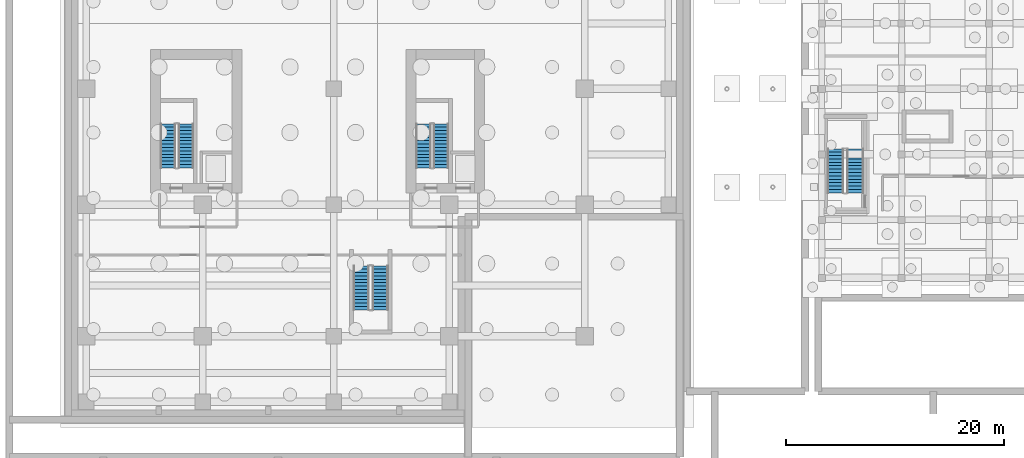
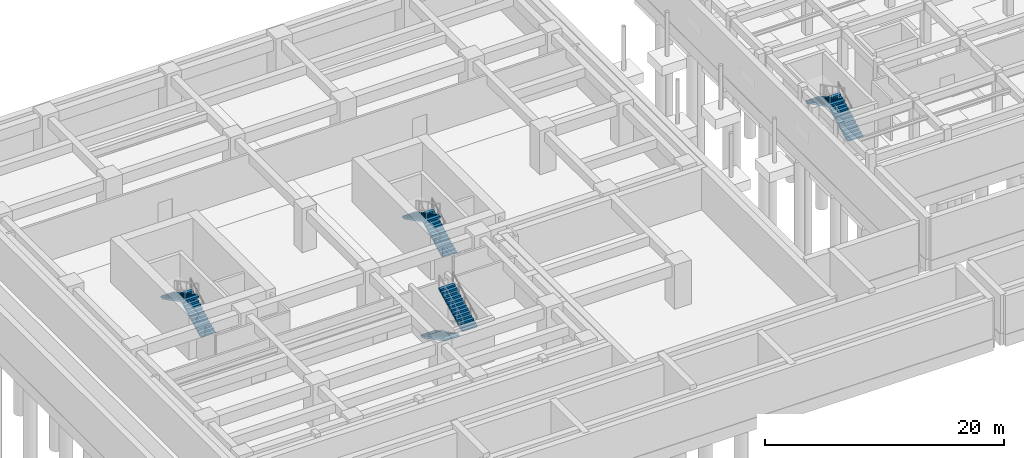
# One storey, part 11 of 14: 8 stair flights, 4 elements without a shape of their own.
"""IFC4 building model written with IfcOpenShell, lengths in metres."""

import ifcopenshell
import ifcopenshell.guid

model = None  # the IFC model being written
_history = None  # IfcOwnerHistory: only IFC2X3 demands one
_inside = {}  # id of a spatial element -> (the spatial element, [elements in it])
_under = {}  # id of a project, library or spatial element -> (it, [spatial elements below it])
_declared = {}  # id of a project -> (the project, [libraries it declares])
_typed = {}  # id of a type object -> (the type object, [elements of that type])
_made_of = {}  # id of a material, layer set ... -> (it, [elements and type objects made of it])


def new_model(schema):
    """Start an empty IFC model of exactly this schema.

    Asked for "IFC4X3", IfcOpenShell would pick the latest addendum, in which some entities
    have other attributes; the version numbers below select the first issue.
    IFC2X3 requires an IfcOwnerHistory on every rooted entity: one is made here for all.
    """
    global model, _history
    if schema == "IFC4X3":
        model = ifcopenshell.file(schema_version=(4, 3, 0, 0))
    else:
        model = ifcopenshell.file(schema=schema)
    _inside.clear()
    _under.clear()
    _declared.clear()
    _typed.clear()
    _made_of.clear()
    _history = None
    if model.schema == "IFC2X3":
        org = make("IfcOrganization", Name="unknown")
        user = make(
            "IfcPersonAndOrganization",
            ThePerson=make("IfcPerson", FamilyName="unknown"),
            TheOrganization=org,
        )
        app = make(
            "IfcApplication",
            ApplicationDeveloper=org,
            Version="unknown",
            ApplicationFullName="unknown",
            ApplicationIdentifier="unknown",
        )
        _history = make(
            "IfcOwnerHistory",
            OwningUser=user,
            OwningApplication=app,
            ChangeAction="ADDED",
            CreationDate=0,
        )
    return model


def make(cls, **values):
    """One entity of the class cls with the attributes given. An attribute that is None is left unset."""
    return model.create_entity(
        cls, **{name: value for name, value in values.items() if value is not None}
    )


def rooted(cls, **values):
    """An entity with a GlobalId (a new one), such as an element, a storey or a relation."""
    return make(cls, GlobalId=ifcopenshell.guid.new(), OwnerHistory=_history, **values)


def si_unit(unit_type, name, prefix=None):
    """IfcSIUnit, for example si_unit("LENGTHUNIT", "METRE", prefix="MILLI")."""
    return make("IfcSIUnit", UnitType=unit_type, Prefix=prefix, Name=name)


def assignment(units):
    """IfcUnitAssignment: the units of a project."""
    return None if units is None else make("IfcUnitAssignment", Units=units)


def point(xyz):
    """IfcCartesianPoint."""
    return None if xyz is None else make("IfcCartesianPoint", Coordinates=xyz)


def direction(xyz):
    """IfcDirection."""
    return None if xyz is None else make("IfcDirection", DirectionRatios=xyz)


def frame(location, z_axis=None, x_axis=None):
    """IfcAxis2Placement3D, a coordinate frame: its origin and axes. An axis left out is left unset."""
    return make(
        "IfcAxis2Placement3D",
        Location=point(location),
        Axis=direction(z_axis),
        RefDirection=direction(x_axis),
    )


def origin():
    """The frame at (0, 0, 0) with its axes left unset."""
    return frame((0.0, 0.0, 0.0))


def place(relative_to, where):
    """IfcLocalPlacement: puts the frame where relative to a parent placement (None: the world)."""
    return make(
        "IfcLocalPlacement", PlacementRelTo=relative_to, RelativePlacement=where
    )


def context(
    kind, dimensions, precision=None, world=None, true_north=None, identifier=None
):
    """IfcGeometricRepresentationContext, for example the 3D "Model" context."""
    return make(
        "IfcGeometricRepresentationContext",
        ContextIdentifier=identifier,
        ContextType=kind,
        CoordinateSpaceDimension=dimensions,
        Precision=precision,
        WorldCoordinateSystem=world,
        TrueNorth=true_north,
    )


def subcontext(parent, identifier, kind, view, scale=None):
    """IfcGeometricRepresentationSubContext, for example "Body" below "Model"."""
    return make(
        "IfcGeometricRepresentationSubContext",
        ContextIdentifier=identifier,
        ContextType=kind,
        ParentContext=parent,
        TargetScale=scale,
        TargetView=view,
    )


def project(units=None, contexts=None):
    """IfcProject with its units and contexts."""
    return rooted(
        "IfcProject",
        Name="project",
        RepresentationContexts=contexts,
        UnitsInContext=assignment(units),
    )


def spatial(cls, under=None, at=None, **own):
    """A site, building, storey or space (cls), placed at a placement, below another one or the project."""
    s = rooted(cls, ObjectPlacement=at, **own)
    if under is not None:
        _under.setdefault(under.id(), (under, []))[1].append(s)
    return s


def polyline(points):
    """IfcPolyline through the points."""
    return make("IfcPolyline", Points=[point(p) for p in points])


def outline(outer, holes=None, kind="AREA"):
    """IfcArbitraryClosedProfileDef: a profile drawn as a closed curve; with holes, ...WithVoids."""
    if holes is None:
        return make("IfcArbitraryClosedProfileDef", ProfileType=kind, OuterCurve=outer)
    return make(
        "IfcArbitraryProfileDefWithVoids",
        ProfileType=kind,
        OuterCurve=outer,
        InnerCurves=holes,
    )


def extrude(swept, where, along, depth):
    """IfcExtrudedAreaSolid: the profile swept, set in the frame where, extruded along a direction by depth."""
    return make(
        "IfcExtrudedAreaSolid",
        SweptArea=swept,
        Position=where,
        ExtrudedDirection=direction(along),
        Depth=depth,
    )


def shape(context_of_items, identifier, shape_type, items):
    """IfcShapeRepresentation: the items that make up one representation, for example the "Body"."""
    return make(
        "IfcShapeRepresentation",
        ContextOfItems=context_of_items,
        RepresentationIdentifier=identifier,
        RepresentationType=shape_type,
        Items=items,
    )


def source(mapping_origin, context_of_items, identifier, shape_type, items):
    """IfcRepresentationMap: a shape defined once, which mapped items show again and again."""
    return make(
        "IfcRepresentationMap",
        MappingOrigin=mapping_origin,
        MappedRepresentation=shape(context_of_items, identifier, shape_type, items),
    )


def transform(
    local_origin,
    x_axis=None,
    y_axis=None,
    z_axis=None,
    scale=None,
    scale2=None,
    scale3=None,
    uniform=True,
):
    """IfcCartesianTransformationOperator3D, or its non-uniform kind. x_axis, y_axis, z_axis: its Axis1, 2, 3."""
    if uniform:
        return make(
            "IfcCartesianTransformationOperator3D",
            Axis1=direction(x_axis),
            Axis2=direction(y_axis),
            LocalOrigin=point(local_origin),
            Scale=scale,
            Axis3=direction(z_axis),
        )
    return make(
        "IfcCartesianTransformationOperator3DnonUniform",
        Axis1=direction(x_axis),
        Axis2=direction(y_axis),
        LocalOrigin=point(local_origin),
        Scale=scale,
        Axis3=direction(z_axis),
        Scale2=scale2,
        Scale3=scale3,
    )


def mapped(mapping_source, mapping_target):
    """IfcMappedItem: shows the shape of a source again, moved by a transform."""
    return make(
        "IfcMappedItem", MappingSource=mapping_source, MappingTarget=mapping_target
    )


def material(Name=None, Category=None):
    """IfcMaterial."""
    return make("IfcMaterial", Name=Name, Category=Category)


def made_of(thing, what):
    """Note that an element or type object is made of a material, layer set ...; save() writes the relation."""
    if what is not None:
        _made_of.setdefault(what.id(), (what, []))[1].append(thing)
    return thing


def type_object(cls, material=None, **own):
    """A type object (cls), such as IfcWallType, which elements share."""
    return made_of(rooted(cls, **own), material)


def element(
    cls,
    number,
    at=None,
    inside=None,
    cuts=None,
    type_object=None,
    material=None,
    context=None,
    identifier="Body",
    shape_type=None,
    held_by="IfcProductDefinitionShape",
    body=None,
    shapes=None,
    **own,
):
    """One element of the class cls, such as IfcWall. Its Tag is "e" and its number.

    at: its placement. inside: the storey or other place that contains it. cuts: it is an
    opening in that element (IfcRelVoidsElement). A single representation is given by context,
    identifier, shape_type and body (its items); several are given by shapes. held_by: the class
    of the entity that holds the representations. save() writes the other relations.
    """
    e = rooted(cls, Tag="e%d" % number, ObjectPlacement=at, **own)
    if body is not None:
        shapes = [shape(context, identifier, shape_type, body)]
    if shapes is not None:
        e.Representation = make(held_by, Representations=shapes)
    if inside is not None:
        _inside.setdefault(inside.id(), (inside, []))[1].append(e)
    if cuts is not None:
        rooted(
            "IfcRelVoidsElement", RelatingBuildingElement=cuts, RelatedOpeningElement=e
        )
    if type_object is not None:
        _typed.setdefault(type_object.id(), (type_object, []))[1].append(e)
    return made_of(e, material)


def aggregate(whole, parts):
    """IfcRelAggregates: a whole, such as a stair, and the parts it consists of."""
    return rooted("IfcRelAggregates", RelatingObject=whole, RelatedObjects=parts)


def save(model, path):
    """Write the relations noted so far, then the file.

    IfcRelAggregates (storeys below a building ...), IfcRelContainedInSpatialStructure (elements
    in a storey), IfcRelDefinesByType, IfcRelAssociatesMaterial and IfcRelDeclares: one each for
    every whole, place, type object, material and project.
    """
    for whole, parts in _under.values():
        aggregate(whole, parts)
    for where, things in _inside.values():
        rooted(
            "IfcRelContainedInSpatialStructure",
            RelatedElements=things,
            RelatingStructure=where,
        )
    for kind, things in _typed.values():
        rooted("IfcRelDefinesByType", RelatedObjects=things, RelatingType=kind)
    for what, things in _made_of.values():
        rooted("IfcRelAssociatesMaterial", RelatedObjects=things, RelatingMaterial=what)
    for by, libraries in _declared.values():
        rooted("IfcRelDeclares", RelatingContext=by, RelatedDefinitions=libraries)
    model.write(path)


model = new_model("IFC4")

# Units and contexts
model_context = context("Model", 3, precision=1e-05, world=origin(), true_north=direction((0.0, 1.0)))
body_context = subcontext(model_context, "Body", "Model", "MODEL_VIEW")
ifc_project = project(units=[si_unit("LENGTHUNIT", "METRE"), si_unit("AREAUNIT", "SQUARE_METRE"), si_unit("VOLUMEUNIT", "CUBIC_METRE"), si_unit("PLANEANGLEUNIT", "RADIAN"), si_unit("MASSUNIT", "GRAM", prefix="KILO")], contexts=[model_context])

# Site, building, storey
site_placement = place(None, origin())
site = spatial("IfcSite", under=ifc_project, at=site_placement, CompositionType="ELEMENT")
building_placement = place(site_placement, origin())
building = spatial("IfcBuilding", under=site, at=building_placement, Name="Khoralis Quay Care Tower", CompositionType="ELEMENT")
storey_placement = place(building_placement, frame((0.0, 0.0, -4.5)))
storey = spatial("IfcBuildingStorey", under=building, at=storey_placement, Name="B1", CompositionType="ELEMENT", Elevation=-4.5)

# Stair, stair flights
ifc_material = material(Name="Precast concrete C45/55", Category="concrete")
stair_type_1 = type_object("IfcStairType", Name="ST-TWR-DOGLEG-1400", PredefinedType="HALF_TURN_STAIR", material=ifc_material)
stair_1_placement = place(storey_placement, origin())
stair_1 = element("IfcStair", 1, at=stair_1_placement, inside=storey, type_object=stair_type_1, Name="B1 West Core Exit Stair ST-T1", PredefinedType="HALF_TURN_STAIR")
stair_flight_type_1 = type_object("IfcStairFlightType", Name="SF-TWR-1400", PredefinedType="STRAIGHT", material=ifc_material)
shared_shape_1 = source(origin(), body_context, "Body", "SweptSolid", [
    extrude(outline(polyline([(0.0, 0.0), (0.0, 0.16064453125), (0.31005859375, 0.16064453125), (0.31005859375, 0.321533203125), (0.6201171875, 0.321533203125), (0.6201171875, 0.482177734375), (0.929931640625, 0.482177734375), (0.929931640625, 0.642822265625), (1.239990234375, 0.642822265625), (1.239990234375, 0.803466796875), (1.550048828125, 0.803466796875), (1.550048828125, 0.96435546875), (1.860107421875, 0.96435546875), (1.860107421875, 1.125), (2.169921875, 1.125), (2.169921875, 1.28564453125), (2.47998046875, 1.28564453125), (2.47998046875, 1.446533203125), (2.7900390625, 1.446533203125), (2.7900390625, 1.607177734375), (3.10009765625, 1.607177734375), (3.10009765625, 1.767822265625), (3.409912109375, 1.767822265625), (3.409912109375, 1.928466796875), (3.719970703125, 1.928466796875), (3.719970703125, 2.08935546875), (4.030029296875, 2.08935546875), (4.030029296875, 2.25), (4.030029296875, 1.92041015625), (0.32568359375, 0.0), (0.0, 0.0)])), frame((0.0, 0.68994140625, 0.0), z_axis=(0.0, -1.0, 0.0), x_axis=(1.0, 0.0, 0.0)), (0.0, 0.0, 1.0), 1.3798828125),
])
stair_flight_1_placement = place(storey_placement, frame((10.4599609375, 16.77001953125, 0.0), z_axis=(0.0, 0.0, 1.0), x_axis=(0.0, 1.0, 0.0)))
stair_flight_1 = element("IfcStairFlight", 2, at=stair_flight_1_placement, type_object=stair_flight_type_1, Name="ST-T1 flight 1", NumberOfRisers=14, NumberOfTreads=13, PredefinedType="STRAIGHT", RiserHeight=0.160714286, TreadLength=0.31, context=body_context, shape_type="MappedRepresentation", body=[
    mapped(shared_shape_1, transform((0.0, 0.0, 0.0), scale=1.0)),
])
stair_flight_2_placement = place(storey_placement, frame((8.840087890625, 20.800048828125, 2.25), z_axis=(0.0, 0.0, 1.0), x_axis=(0.0, -1.0, 0.0)))
stair_flight_2 = element("IfcStairFlight", 3, at=stair_flight_2_placement, type_object=stair_flight_type_1, Name="ST-T1 flight 2", NumberOfRisers=14, NumberOfTreads=13, PredefinedType="STRAIGHT", RiserHeight=0.160714286, TreadLength=0.31, context=body_context, shape_type="MappedRepresentation", body=[
    mapped(shared_shape_1, transform((0.0, 0.0, 0.0), scale=1.0)),
])
aggregate(stair_1, [stair_flight_1, stair_flight_2])

stair_2_placement = place(storey_placement, origin())
stair_2 = element("IfcStair", 4, at=stair_2_placement, inside=storey, type_object=stair_type_1, Name="B1 East Core Exit Stair ST-T2", PredefinedType="HALF_TURN_STAIR")
stair_flight_3_placement = place(storey_placement, frame((33.830078125, 16.77001953125, 0.0), z_axis=(0.0, 0.0, 1.0), x_axis=(0.0, 1.0, 0.0)))
stair_flight_3 = element("IfcStairFlight", 5, at=stair_flight_3_placement, type_object=stair_flight_type_1, Name="ST-T2 flight 1", NumberOfRisers=14, NumberOfTreads=13, PredefinedType="STRAIGHT", RiserHeight=0.160714286, TreadLength=0.31, context=body_context, shape_type="MappedRepresentation", body=[
    mapped(shared_shape_1, transform((0.0, 0.0, 0.0), scale=1.0)),
])
stair_flight_4_placement = place(storey_placement, frame((32.2099609375, 20.800048828125, 2.25), z_axis=(0.0, 0.0, 1.0), x_axis=(0.0, -1.0, 0.0)))
stair_flight_4 = element("IfcStairFlight", 6, at=stair_flight_4_placement, type_object=stair_flight_type_1, Name="ST-T2 flight 2", NumberOfRisers=14, NumberOfTreads=13, PredefinedType="STRAIGHT", RiserHeight=0.160714286, TreadLength=0.31, context=body_context, shape_type="MappedRepresentation", body=[
    mapped(shared_shape_1, transform((0.0, 0.0, 0.0), scale=1.0)),
])
aggregate(stair_2, [stair_flight_3, stair_flight_4])

stair_type_2 = type_object("IfcStairType", Name="ST-POD-DOGLEG-1500", PredefinedType="HALF_TURN_STAIR", material=ifc_material)
stair_3_placement = place(storey_placement, origin())
stair_3 = element("IfcStair", 7, at=stair_3_placement, inside=storey, type_object=stair_type_2, Name="B1 Podium Clinical Stair ST-P1", PredefinedType="HALF_TURN_STAIR")
stair_flight_type_2 = type_object("IfcStairFlightType", Name="SF-POD-1500", PredefinedType="STRAIGHT", material=ifc_material)
shared_shape_2 = source(origin(), body_context, "Body", "SweptSolid", [
    extrude(outline(polyline([(0.0, 0.0), (0.0, 0.16064453125), (0.31005859375, 0.16064453125), (0.31005859375, 0.321533203125), (0.6201171875, 0.321533203125), (0.6201171875, 0.482177734375), (0.929931640625, 0.482177734375), (0.929931640625, 0.642822265625), (1.239990234375, 0.642822265625), (1.239990234375, 0.803466796875), (1.550048828125, 0.803466796875), (1.550048828125, 0.96435546875), (1.860107421875, 0.96435546875), (1.860107421875, 1.125), (2.169921875, 1.125), (2.169921875, 1.28564453125), (2.47998046875, 1.28564453125), (2.47998046875, 1.446533203125), (2.7900390625, 1.446533203125), (2.7900390625, 1.607177734375), (3.10009765625, 1.607177734375), (3.10009765625, 1.767822265625), (3.409912109375, 1.767822265625), (3.409912109375, 1.928466796875), (3.719970703125, 1.928466796875), (3.719970703125, 2.08935546875), (4.030029296875, 2.08935546875), (4.030029296875, 2.25), (4.030029296875, 1.92041015625), (0.32568359375, 0.0), (0.0, 0.0)])), frame((0.0, 0.72509765625, 0.0), z_axis=(0.0, -1.0, 0.0), x_axis=(1.0, 0.0, 0.0)), (0.0, 0.0, 1.0), 1.449951171875),
])
stair_flight_5_placement = place(storey_placement, frame((26.52490234375, 7.800048828125, 0.0), z_axis=(0.0, 0.0, 1.0), x_axis=(0.0, -1.0, 0.0)))
stair_flight_5 = element("IfcStairFlight", 8, at=stair_flight_5_placement, type_object=stair_flight_type_2, Name="ST-P1 flight 1", NumberOfRisers=14, NumberOfTreads=13, PredefinedType="STRAIGHT", RiserHeight=0.160714286, TreadLength=0.31, context=body_context, shape_type="MappedRepresentation", body=[
    mapped(shared_shape_2, transform((0.0, 0.0, 0.0), scale=1.0)),
])
stair_flight_6_placement = place(storey_placement, frame((28.27490234375, 3.77001953125, 2.25), z_axis=(0.0, 0.0, 1.0), x_axis=(0.0, 1.0, 0.0)))
stair_flight_6 = element("IfcStairFlight", 9, at=stair_flight_6_placement, type_object=stair_flight_type_2, Name="ST-P1 flight 2", NumberOfRisers=14, NumberOfTreads=13, PredefinedType="STRAIGHT", RiserHeight=0.160714286, TreadLength=0.31, context=body_context, shape_type="MappedRepresentation", body=[
    mapped(shared_shape_2, transform((0.0, 0.0, 0.0), scale=1.0)),
])
aggregate(stair_3, [stair_flight_5, stair_flight_6])

stair_type_3 = type_object("IfcStairType", Name="ST-SCH-DOGLEG-1550", PredefinedType="HALF_TURN_STAIR", material=ifc_material)
stair_4_placement = place(storey_placement, origin())
stair_4 = element("IfcStair", 10, at=stair_4_placement, inside=storey, type_object=stair_type_3, Name="B1 Companion School West Exit Stair ST-S1", PredefinedType="HALF_TURN_STAIR")
stair_flight_type_3 = type_object("IfcStairFlightType", Name="SF-SCH-1550", PredefinedType="STRAIGHT", material=ifc_material)
shared_shape_3 = source(origin(), body_context, "Body", "SweptSolid", [
    extrude(outline(polyline([(0.0, 0.0), (0.0, 0.16064453125), (0.31005859375, 0.16064453125), (0.31005859375, 0.321533203125), (0.6201171875, 0.321533203125), (0.6201171875, 0.482177734375), (0.929931640625, 0.482177734375), (0.929931640625, 0.642822265625), (1.239990234375, 0.642822265625), (1.239990234375, 0.803466796875), (1.550048828125, 0.803466796875), (1.550048828125, 0.96435546875), (1.860107421875, 0.96435546875), (1.860107421875, 1.125), (2.169921875, 1.125), (2.169921875, 1.28564453125), (2.47998046875, 1.28564453125), (2.47998046875, 1.446533203125), (2.7900390625, 1.446533203125), (2.7900390625, 1.607177734375), (3.10009765625, 1.607177734375), (3.10009765625, 1.767822265625), (3.409912109375, 1.767822265625), (3.409912109375, 1.928466796875), (3.719970703125, 1.928466796875), (3.719970703125, 2.08935546875), (4.030029296875, 2.08935546875), (4.030029296875, 2.25), (4.030029296875, 1.92041015625), (0.32568359375, 0.0), (0.0, 0.0)])), frame((0.0, 0.75, 0.0), z_axis=(0.0, -1.0, 0.0), x_axis=(1.0, 0.0, 0.0)), (0.0, 0.0, 1.0), 1.5),
])
stair_flight_7_placement = place(storey_placement, frame((71.75, 14.47998046875, 0.0), z_axis=(0.0, 0.0, 1.0), x_axis=(0.0, 1.0, 0.0)))
stair_flight_7 = element("IfcStairFlight", 11, at=stair_flight_7_placement, type_object=stair_flight_type_3, Name="ST-S1 flight 1", NumberOfRisers=14, NumberOfTreads=13, PredefinedType="STRAIGHT", RiserHeight=0.160714286, TreadLength=0.31, context=body_context, shape_type="MappedRepresentation", body=[
    mapped(shared_shape_3, transform((0.0, 0.0, 0.0), scale=1.0)),
])
stair_flight_8_placement = place(storey_placement, frame((69.949951171875, 18.510009765625, 2.25), z_axis=(0.0, 0.0, 1.0), x_axis=(0.0, -1.0, 0.0)))
stair_flight_8 = element("IfcStairFlight", 12, at=stair_flight_8_placement, type_object=stair_flight_type_3, Name="ST-S1 flight 2", NumberOfRisers=14, NumberOfTreads=13, PredefinedType="STRAIGHT", RiserHeight=0.160714286, TreadLength=0.31, context=body_context, shape_type="MappedRepresentation", body=[
    mapped(shared_shape_3, transform((0.0, 0.0, 0.0), scale=1.0)),
])
aggregate(stair_4, [stair_flight_7, stair_flight_8])

save(model, "model.ifc")
